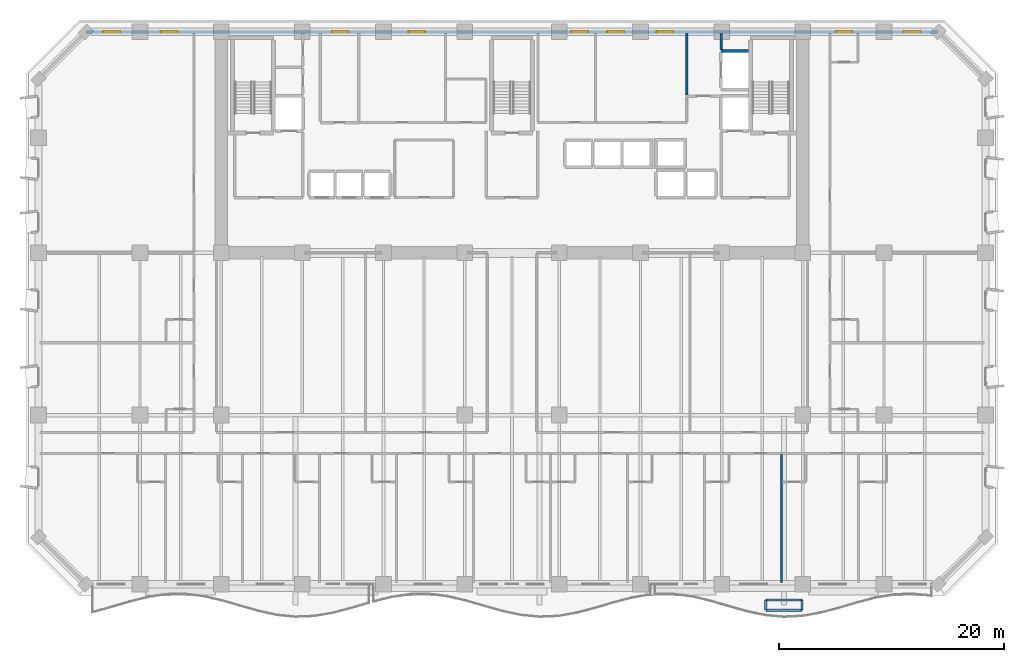
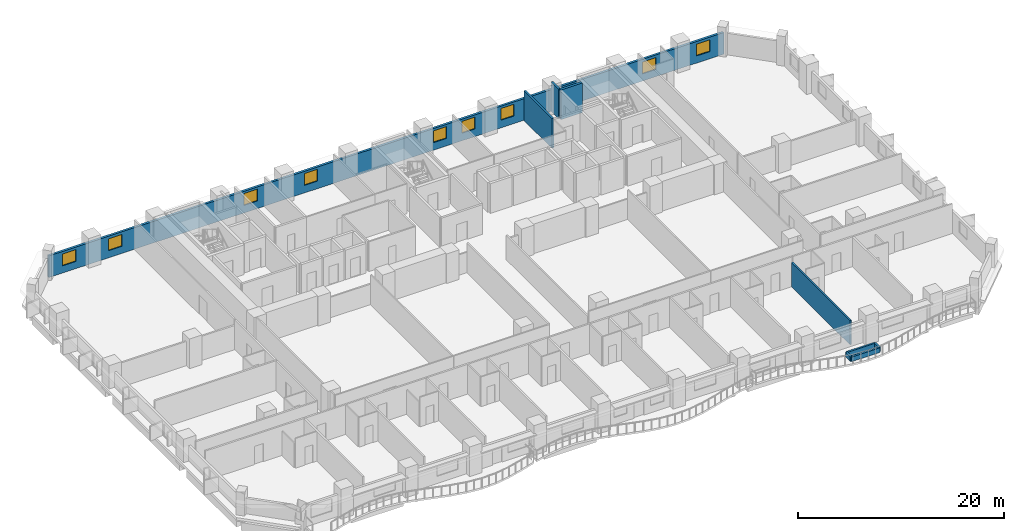
# One storey, part 9 of 15: 9 walls, 9 windows, 9 openings.
"""IFC4 building model written with IfcOpenShell, lengths in metres."""

from ifc_helpers import new_model, si_unit, direction, frame, frame_2d, origin, place, context, subcontext, project, spatial, rectangle, extrude, material, layer, layer_set, type_object, element, fill, save


model = new_model("IFC4")

# Units and contexts
model_context = context("Model", 3, precision=1e-05, world=origin(), true_north=direction((0.0, 1.0)))
body_context = subcontext(model_context, "Body", "Model", "MODEL_VIEW")
ifc_project = project(units=[si_unit("LENGTHUNIT", "METRE"), si_unit("AREAUNIT", "SQUARE_METRE"), si_unit("VOLUMEUNIT", "CUBIC_METRE"), si_unit("PLANEANGLEUNIT", "RADIAN"), si_unit("MASSUNIT", "GRAM", prefix="KILO")], contexts=[model_context])

# Site, building, storey
site_placement = place(None, origin())
site = spatial("IfcSite", under=ifc_project, at=site_placement, CompositionType="ELEMENT")
building_placement = place(site_placement, origin())
building = spatial("IfcBuilding", under=site, at=building_placement, Name="Kaelvorn Grand Hotel", CompositionType="ELEMENT")
storey_placement = place(building_placement, frame((0.0, 0.0, 53.89990234375)))
storey = spatial("IfcBuildingStorey", under=building, at=storey_placement, Name="L11", CompositionType="ELEMENT", Elevation=53.89990234375)

# Wall, openings, windows
ifc_material_1 = material(Name="Concrete C40/50", Category="concrete")
ifc_layer_1 = layer(ifc_material_1, 0.260009765625)
ifc_layer_set_1 = layer_set([ifc_layer_1], Name="Concrete C40/50")
wall_type_1 = type_object("IfcWallType", Name="WL-EXT-260-C40", PredefinedType="SOLIDWALL", material=ifc_layer_set_1)
wall_1_placement = place(storey_placement, frame((79.800048828125, 49.0, 0.0), z_axis=(0.0, 0.0, 1.0), x_axis=(-1.0, 0.0, 0.0)))
wall_1 = element("IfcWall", 1, at=wall_1_placement, inside=storey, type_object=wall_type_1, Name="L11 Exterior Architectural Concrete Wall 05", PredefinedType="SOLIDWALL", context=body_context, shape_type="SweptSolid", body=[
    extrude(rectangle(XDim=75.60009765625, YDim=0.260009765625, at=frame_2d((37.800048828125, 0.0))), origin(), (0.0, 0.0, 1.0), 2.56005859375),
])
opening_1_placement = place(wall_1_placement, frame((72.56494140625, 0.0, 0.85009765625)))
opening_1 = element("IfcOpeningElement", 2, at=opening_1_placement, cuts=wall_1, Name="Opening W10", PredefinedType="OPENING", context=body_context, shape_type="SweptSolid", body=[
    extrude(rectangle(XDim=1.5, YDim=1.39990234375, at=frame_2d((0.75, 0.699951171875))), frame((0.0, 0.14013671875, 0.0), z_axis=(0.0, -1.0, 0.0), x_axis=(1.0, 0.0, 0.0)), (0.0, 0.0, 1.0), 0.280029296875),
])
opening_2_placement = place(wall_1_placement, frame((67.449951171875, 0.0, 0.85009765625)))
opening_2 = element("IfcOpeningElement", 3, at=opening_2_placement, cuts=wall_1, Name="Opening W10", PredefinedType="OPENING", context=body_context, shape_type="SweptSolid", body=[
    extrude(rectangle(XDim=1.5, YDim=1.39990234375, at=frame_2d((0.75, 0.699951171875))), frame((0.0, 0.14013671875, 0.0), z_axis=(0.0, -1.0, 0.0), x_axis=(1.0, 0.0, 0.0)), (0.0, 0.0, 1.0), 0.280029296875),
])
opening_3_placement = place(wall_1_placement, frame((7.60009765625, 0.0, 0.85009765625)))
opening_3 = element("IfcOpeningElement", 4, at=opening_3_placement, cuts=wall_1, Name="Opening W10", PredefinedType="OPENING", context=body_context, shape_type="SweptSolid", body=[
    extrude(rectangle(XDim=1.5, YDim=1.39990234375, at=frame_2d((0.75, 0.699951171875))), frame((0.0, 0.14013671875, 0.0), z_axis=(0.0, -1.0, 0.0), x_axis=(1.0, 0.0, 0.0)), (0.0, 0.0, 1.0), 0.280029296875),
])
opening_4_placement = place(wall_1_placement, frame((1.534912109375, 0.0, 0.85009765625)))
opening_4 = element("IfcOpeningElement", 5, at=opening_4_placement, cuts=wall_1, Name="Opening W10", PredefinedType="OPENING", context=body_context, shape_type="SweptSolid", body=[
    extrude(rectangle(XDim=1.5, YDim=1.39990234375, at=frame_2d((0.75, 0.699951171875))), frame((0.0, 0.14013671875, 0.0), z_axis=(0.0, -1.0, 0.0), x_axis=(1.0, 0.0, 0.0)), (0.0, 0.0, 1.0), 0.280029296875),
])
opening_5_placement = place(wall_1_placement, frame((52.264892578125, 0.0, 0.89990234375)))
opening_5 = element("IfcOpeningElement", 6, at=opening_5_placement, cuts=wall_1, Name="Opening W10", PredefinedType="OPENING", context=body_context, shape_type="SweptSolid", body=[
    extrude(rectangle(XDim=1.5, YDim=1.39990234375, at=frame_2d((0.75, 0.699951171875))), frame((0.0, 0.14013671875, 0.0), z_axis=(0.0, -1.0, 0.0), x_axis=(1.0, 0.0, 0.0)), (0.0, 0.0, 1.0), 0.280029296875),
])
opening_6_placement = place(wall_1_placement, frame((45.5, 0.0, 0.89990234375)))
opening_6 = element("IfcOpeningElement", 7, at=opening_6_placement, cuts=wall_1, Name="Opening W10", PredefinedType="OPENING", context=body_context, shape_type="SweptSolid", body=[
    extrude(rectangle(XDim=1.5, YDim=1.39990234375, at=frame_2d((0.75, 0.699951171875))), frame((0.0, 0.14013671875, 0.0), z_axis=(0.0, -1.0, 0.0), x_axis=(1.0, 0.0, 0.0)), (0.0, 0.0, 1.0), 0.280029296875),
])
opening_7_placement = place(wall_1_placement, frame((31.050048828125, 0.0, 0.89990234375)))
opening_7 = element("IfcOpeningElement", 8, at=opening_7_placement, cuts=wall_1, Name="Opening W10", PredefinedType="OPENING", context=body_context, shape_type="SweptSolid", body=[
    extrude(rectangle(XDim=1.5, YDim=1.39990234375, at=frame_2d((0.75, 0.699951171875))), frame((0.0, 0.14013671875, 0.0), z_axis=(0.0, -1.0, 0.0), x_axis=(1.0, 0.0, 0.0)), (0.0, 0.0, 1.0), 0.280029296875),
])
opening_8_placement = place(wall_1_placement, frame((27.85009765625, 0.0, 0.89990234375)))
opening_8 = element("IfcOpeningElement", 9, at=opening_8_placement, cuts=wall_1, Name="Opening W10", PredefinedType="OPENING", context=body_context, shape_type="SweptSolid", body=[
    extrude(rectangle(XDim=1.5, YDim=1.39990234375, at=frame_2d((0.75, 0.699951171875))), frame((0.0, 0.14013671875, 0.0), z_axis=(0.0, -1.0, 0.0), x_axis=(1.0, 0.0, 0.0)), (0.0, 0.0, 1.0), 0.280029296875),
])
opening_9_placement = place(wall_1_placement, frame((23.485107421875, 0.0, 0.89990234375)))
opening_9 = element("IfcOpeningElement", 10, at=opening_9_placement, cuts=wall_1, Name="Opening W10", PredefinedType="OPENING", context=body_context, shape_type="SweptSolid", body=[
    extrude(rectangle(XDim=1.5, YDim=1.39990234375, at=frame_2d((0.75, 0.699951171875))), frame((0.0, 0.14013671875, 0.0), z_axis=(0.0, -1.0, 0.0), x_axis=(1.0, 0.0, 0.0)), (0.0, 0.0, 1.0), 0.280029296875),
])
ifc_material_2 = material(Name="Laminated Low-E Glass", Category="glass")
window_type = type_object("IfcWindowType", Name="WIN-COR-1500x1400", PartitioningType="SINGLE_PANEL", PredefinedType="WINDOW", material=ifc_material_2)
window_1_placement = place(opening_1_placement, origin())
window_1 = element("IfcWindow", 11, at=window_1_placement, inside=storey, type_object=window_type, Name="L11 North Wing Ribbon Window NW01", OverallHeight=1.39990234375, OverallWidth=1.5, PartitioningType="SINGLE_PANEL", PredefinedType="WINDOW", context=body_context, shape_type="SweptSolid", body=[
    extrude(rectangle(XDim=1.5, YDim=1.39990234375, at=frame_2d((0.75, 0.699951171875))), frame((0.0, 0.030029296875, 0.0), z_axis=(0.0, -1.0, 0.0), x_axis=(1.0, 0.0, 0.0)), (0.0, 0.0, 1.0), 0.06005859375),
])
fill(opening_1, window_1)
window_2_placement = place(opening_2_placement, origin())
window_2 = element("IfcWindow", 12, at=window_2_placement, inside=storey, type_object=window_type, Name="L11 North Wing Ribbon Window NW02", OverallHeight=1.39990234375, OverallWidth=1.5, PartitioningType="SINGLE_PANEL", PredefinedType="WINDOW", context=body_context, shape_type="SweptSolid", body=[
    extrude(rectangle(XDim=1.5, YDim=1.39990234375, at=frame_2d((0.75, 0.699951171875))), frame((0.0, 0.030029296875, 0.0), z_axis=(0.0, -1.0, 0.0), x_axis=(1.0, 0.0, 0.0)), (0.0, 0.0, 1.0), 0.06005859375),
])
fill(opening_2, window_2)
window_3_placement = place(opening_3_placement, origin())
window_3 = element("IfcWindow", 13, at=window_3_placement, inside=storey, type_object=window_type, Name="L11 North Wing Ribbon Window NW03", OverallHeight=1.39990234375, OverallWidth=1.5, PartitioningType="SINGLE_PANEL", PredefinedType="WINDOW", context=body_context, shape_type="SweptSolid", body=[
    extrude(rectangle(XDim=1.5, YDim=1.39990234375, at=frame_2d((0.75, 0.699951171875))), frame((0.0, 0.030029296875, 0.0), z_axis=(0.0, -1.0, 0.0), x_axis=(1.0, 0.0, 0.0)), (0.0, 0.0, 1.0), 0.06005859375),
])
fill(opening_3, window_3)
window_4_placement = place(opening_4_placement, origin())
window_4 = element("IfcWindow", 14, at=window_4_placement, inside=storey, type_object=window_type, Name="L11 North Wing Ribbon Window NW04", OverallHeight=1.39990234375, OverallWidth=1.5, PartitioningType="SINGLE_PANEL", PredefinedType="WINDOW", context=body_context, shape_type="SweptSolid", body=[
    extrude(rectangle(XDim=1.5, YDim=1.39990234375, at=frame_2d((0.75, 0.699951171875))), frame((0.0, 0.030029296875, 0.0), z_axis=(0.0, -1.0, 0.0), x_axis=(1.0, 0.0, 0.0)), (0.0, 0.0, 1.0), 0.06005859375),
])
fill(opening_4, window_4)
window_5_placement = place(opening_5_placement, origin())
window_5 = element("IfcWindow", 15, at=window_5_placement, inside=storey, type_object=window_type, Name="L11 North Core Clerestory Ribbon Window NC05", OverallHeight=1.39990234375, OverallWidth=1.5, PartitioningType="SINGLE_PANEL", PredefinedType="WINDOW", context=body_context, shape_type="SweptSolid", body=[
    extrude(rectangle(XDim=1.5, YDim=1.39990234375, at=frame_2d((0.75, 0.699951171875))), frame((0.0, 0.030029296875, 0.0), z_axis=(0.0, -1.0, 0.0), x_axis=(1.0, 0.0, 0.0)), (0.0, 0.0, 1.0), 0.06005859375),
])
fill(opening_5, window_5)
window_6_placement = place(opening_6_placement, origin())
window_6 = element("IfcWindow", 16, at=window_6_placement, inside=storey, type_object=window_type, Name="L11 North Core Clerestory Ribbon Window NC06", OverallHeight=1.39990234375, OverallWidth=1.5, PartitioningType="SINGLE_PANEL", PredefinedType="WINDOW", context=body_context, shape_type="SweptSolid", body=[
    extrude(rectangle(XDim=1.5, YDim=1.39990234375, at=frame_2d((0.75, 0.699951171875))), frame((0.0, 0.030029296875, 0.0), z_axis=(0.0, -1.0, 0.0), x_axis=(1.0, 0.0, 0.0)), (0.0, 0.0, 1.0), 0.06005859375),
])
fill(opening_6, window_6)
window_7_placement = place(opening_7_placement, origin())
window_7 = element("IfcWindow", 17, at=window_7_placement, inside=storey, type_object=window_type, Name="L11 North Core Clerestory Ribbon Window NC07", OverallHeight=1.39990234375, OverallWidth=1.5, PartitioningType="SINGLE_PANEL", PredefinedType="WINDOW", context=body_context, shape_type="SweptSolid", body=[
    extrude(rectangle(XDim=1.5, YDim=1.39990234375, at=frame_2d((0.75, 0.699951171875))), frame((0.0, 0.030029296875, 0.0), z_axis=(0.0, -1.0, 0.0), x_axis=(1.0, 0.0, 0.0)), (0.0, 0.0, 1.0), 0.06005859375),
])
fill(opening_7, window_7)
window_8_placement = place(opening_8_placement, origin())
window_8 = element("IfcWindow", 18, at=window_8_placement, inside=storey, type_object=window_type, Name="L11 North Core Clerestory Ribbon Window NC08", OverallHeight=1.39990234375, OverallWidth=1.5, PartitioningType="SINGLE_PANEL", PredefinedType="WINDOW", context=body_context, shape_type="SweptSolid", body=[
    extrude(rectangle(XDim=1.5, YDim=1.39990234375, at=frame_2d((0.75, 0.699951171875))), frame((0.0, 0.030029296875, 0.0), z_axis=(0.0, -1.0, 0.0), x_axis=(1.0, 0.0, 0.0)), (0.0, 0.0, 1.0), 0.06005859375),
])
fill(opening_8, window_8)
window_9_placement = place(opening_9_placement, origin())
window_9 = element("IfcWindow", 19, at=window_9_placement, inside=storey, type_object=window_type, Name="L11 North Core Clerestory Ribbon Window NC09", OverallHeight=1.39990234375, OverallWidth=1.5, PartitioningType="SINGLE_PANEL", PredefinedType="WINDOW", context=body_context, shape_type="SweptSolid", body=[
    extrude(rectangle(XDim=1.5, YDim=1.39990234375, at=frame_2d((0.75, 0.699951171875))), frame((0.0, 0.030029296875, 0.0), z_axis=(0.0, -1.0, 0.0), x_axis=(1.0, 0.0, 0.0)), (0.0, 0.0, 1.0), 0.06005859375),
])
fill(opening_9, window_9)

# Walls
ifc_material_3 = material(Name="Acoustic Gypsum & Stud Partition")
ifc_layer_2 = layer(ifc_material_3, 0.179931640625)
ifc_layer_set_2 = layer_set([ifc_layer_2], Name="Acoustic Gypsum & Stud Partition")
wall_type_2 = type_object("IfcWallType", Name="WL-PART-180-EI60", PredefinedType="PARTITIONING", material=ifc_layer_set_2)
wall_2_placement = place(storey_placement, frame((65.8955078125, 0.14990234375, 0.0), z_axis=(0.0, 0.0, 1.0), x_axis=(0.0, 1.0, 0.0)))
element("IfcWall", 20, at=wall_2_placement, inside=storey, type_object=wall_type_2, Name="L11 Deluxe Panoramic Suite L11-09 E Partition", PredefinedType="PARTITIONING", context=body_context, shape_type="SweptSolid", body=[
    extrude(rectangle(XDim=11.35498046875, YDim=0.179931640625, at=frame_2d((5.677490234375, 0.0))), origin(), (0.0, 0.0, 1.0), 2.880126953125),
])
ifc_layer_3 = layer(ifc_material_1, 0.219970703125)
ifc_layer_set_3 = layer_set([ifc_layer_3], Name="Concrete C40/50")
wall_type_3 = type_object("IfcWallType", Name="WL-PART-220-EI120", PredefinedType="PARTITIONING", material=ifc_layer_set_3)
wall_3_placement = place(storey_placement, frame((57.5, 43.4150390625, 0.0), z_axis=(0.0, 0.0, 1.0), x_axis=(0.0, 1.0, 0.0)))
element("IfcWall", 21, at=wall_3_placement, inside=storey, type_object=wall_type_3, Name="L11 Service Lift Lobby W Partition", PredefinedType="PARTITIONING", context=body_context, shape_type="SweptSolid", body=[
    extrude(rectangle(XDim=5.43505859375, YDim=0.219970703125, at=frame_2d((2.717529296875, 0.0))), origin(), (0.0, 0.0, 1.0), 3.510009765625),
])
wall_4_placement = place(storey_placement, frame((60.550048828125, 47.445068359375, 0.0), z_axis=(0.0, 0.0, 1.0), x_axis=(0.0, 1.0, 0.0)))
element("IfcWall", 22, at=wall_4_placement, inside=storey, type_object=wall_type_3, Name="L11 Service Lift Lobby E Partition", PredefinedType="PARTITIONING", context=body_context, shape_type="SweptSolid", body=[
    extrude(rectangle(XDim=1.405029296875, YDim=0.219970703125, at=frame_2d((0.70263671875, 0.0))), origin(), (0.0, 0.0, 1.0), 3.510009765625),
])
ifc_material_4 = material(Name="Concrete C50/60", Category="concrete")
ifc_layer_4 = layer(ifc_material_4, 0.280029296875)
ifc_layer_set_4 = layer_set([ifc_layer_4], Name="Concrete C50/60")
wall_type_4 = type_object("IfcWallType", Name="WL-SHAFT-280-C50", PredefinedType="SHEAR", material=ifc_layer_set_4)
wall_5_placement = place(storey_placement, frame((60.550048828125, 47.300048828125, 0.0), z_axis=(0.0, 0.0, 1.0), x_axis=(1.0, 0.0, 0.0)))
element("IfcWall", 23, at=wall_5_placement, inside=storey, type_object=wall_type_4, Name="L11 Lift SV1 Shaft North Wall", PredefinedType="SHEAR", context=body_context, shape_type="SweptSolid", body=[
    extrude(rectangle(XDim=2.4150390625, YDim=0.280029296875, at=frame_2d((1.20751953125, 0.0))), origin(), (0.0, 0.0, 1.0), 3.510009765625),
])
ifc_layer_5 = layer(ifc_material_1, 0.199951171875)
ifc_layer_set_5 = layer_set([ifc_layer_5], Name="Concrete C40/50")
wall_type_5 = type_object("IfcWallType", Name="WL-TREE-PLANTER-200", PredefinedType="PARAPET", material=ifc_layer_set_5)
wall_6_placement = place(storey_placement, frame((64.515625, -2.300048828125, 0.0), z_axis=(0.0, 0.0, 1.0), x_axis=(1.0, 0.0, 0.0)))
element("IfcWall", 24, at=wall_6_placement, inside=storey, type_object=wall_type_5, Name="L11 Planted Balcony Structural TREE PLANTER Kerb 1-S", PredefinedType="PARAPET", context=body_context, shape_type="SweptSolid", body=[
    extrude(rectangle(XDim=3.199951171875, YDim=0.199951171875, at=frame_2d((1.60009765625, 0.0))), origin(), (0.0, 0.0, 1.0), 0.550048828125),
])
wall_7_placement = place(storey_placement, frame((67.715576171875, -2.300048828125, 0.0), z_axis=(0.0, 0.0, 1.0), x_axis=(0.0, 1.0, 0.0)))
element("IfcWall", 25, at=wall_7_placement, inside=storey, type_object=wall_type_5, Name="L11 Planted Balcony Structural TREE PLANTER Kerb 1-E", PredefinedType="PARAPET", context=body_context, shape_type="SweptSolid", body=[
    extrude(rectangle(XDim=0.900146484375, YDim=0.199951171875, at=frame_2d((0.4501953125, 0.0))), origin(), (0.0, 0.0, 1.0), 0.550048828125),
])
wall_8_placement = place(storey_placement, frame((67.715576171875, -1.39990234375, 0.0), z_axis=(0.0, 0.0, 1.0), x_axis=(-1.0, 0.0, 0.0)))
element("IfcWall", 26, at=wall_8_placement, inside=storey, type_object=wall_type_5, Name="L11 Planted Balcony Structural TREE PLANTER Kerb 1-N", PredefinedType="PARAPET", context=body_context, shape_type="SweptSolid", body=[
    extrude(rectangle(XDim=3.199951171875, YDim=0.199951171875, at=frame_2d((1.60009765625, 0.0))), origin(), (0.0, 0.0, 1.0), 0.550048828125),
])
wall_9_placement = place(storey_placement, frame((64.515625, -1.39990234375, 0.0), z_axis=(0.0, 0.0, 1.0), x_axis=(0.0, -1.0, 0.0)))
element("IfcWall", 27, at=wall_9_placement, inside=storey, type_object=wall_type_5, Name="L11 Planted Balcony Structural TREE PLANTER Kerb 1-W", PredefinedType="PARAPET", context=body_context, shape_type="SweptSolid", body=[
    extrude(rectangle(XDim=0.900146484375, YDim=0.199951171875, at=frame_2d((0.4501953125, 0.0))), origin(), (0.0, 0.0, 1.0), 0.550048828125),
])

save(model, "model.ifc")
